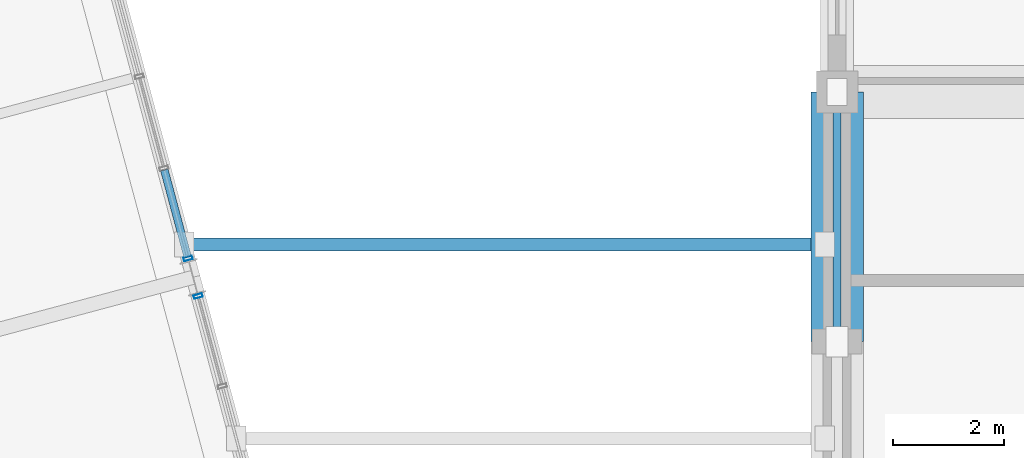
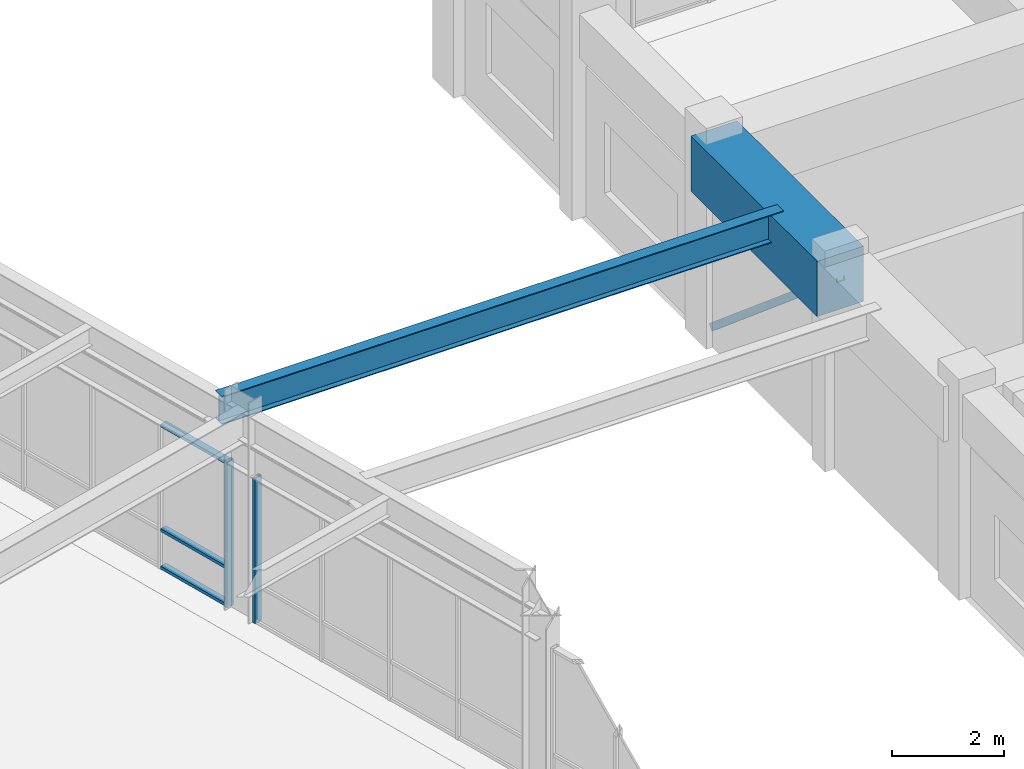
# One storey, part 52 of 104: 6 members, 2 beams, 2 elements without a shape of their own.
"""IFC4 building model written with IfcOpenShell, lengths in metres."""

from ifc_helpers import new_model, si_unit, direction, frame, origin, origin_2d, place, context, subcontext, project, spatial, rectangle, hollow_rectangle, i_section, extrude, material, layer, layer_set, material_profile, profile_set, type_object, element, aggregate, save


model = new_model("IFC4")

# Units and contexts
model_context = context("Model", 3, precision=1e-05, world=origin(), true_north=direction((0.0, 1.0)))
body_context = subcontext(model_context, "Body", "Model", "MODEL_VIEW")
ifc_project = project(units=[si_unit("LENGTHUNIT", "METRE"), si_unit("AREAUNIT", "SQUARE_METRE"), si_unit("VOLUMEUNIT", "CUBIC_METRE"), si_unit("PLANEANGLEUNIT", "RADIAN"), si_unit("MASSUNIT", "GRAM", prefix="KILO")], contexts=[model_context])

# Site, building, storey
site_placement = place(None, origin())
site = spatial("IfcSite", under=ifc_project, at=site_placement, CompositionType="ELEMENT")
building_placement = place(site_placement, origin())
building = spatial("IfcBuilding", under=site, at=building_placement, Name="Ventoquebrada Cableway Terminal", CompositionType="ELEMENT")
storey_placement = place(building_placement, frame((0.0, 0.0, 4.800048828125)))
storey = spatial("IfcBuildingStorey", under=building, at=storey_placement, Name="L01", CompositionType="ELEMENT", Elevation=4.800048828125)

# Beams
ifc_material_1 = material(Name="Concrete C40/50", Category="concrete")
ifc_material_profile_1 = material_profile(ifc_material_1, rectangle(XDim=0.949951171875, YDim=1.199951171875, at=origin_2d()), Name="RC-BM-950X1200")
ifc_profile_set_1 = profile_set([ifc_material_profile_1], Name="Concrete C40/50")
beam_type_1 = type_object("IfcBeamType", Name="BM-RC06", PredefinedType="BEAM", material=ifc_profile_set_1)
beam_1_placement = place(storey_placement, frame((95.0, 90.5, 3.849853515625), z_axis=(0.0, 1.0, 0.0), x_axis=(-1.0, 0.0, 0.0)))
element("IfcBeam", 1, at=beam_1_placement, inside=storey, type_object=beam_type_1, Name="Perimeter spandrel beam FBM-0646", PredefinedType="BEAM", context=body_context, shape_type="SweptSolid", body=[
    extrude(rectangle(XDim=0.949951171875, YDim=1.199951171875, at=origin_2d()), origin(), (0.0, 0.0, 1.0), 4.5),
])
ifc_material_2 = material(Name="Steel ASTM A992 Grade 50", Category="steel")
ifc_material_profile_2 = material_profile(ifc_material_2, i_section(OverallWidth=0.22900390625, OverallDepth=0.612060546875, WebThickness=0.011962890625, FlangeThickness=0.01953125, at=origin_2d()), Name="W24X84")
ifc_profile_set_2 = profile_set([ifc_material_profile_2], Name="Steel ASTM A992 Grade 50")
beam_type_2 = type_object("IfcBeamType", Name="BM-ST02", PredefinedType="BEAM", material=ifc_profile_set_2)
beam_2_placement = place(storey_placement, frame((83.22900390625, 92.25, 4.1689453125), z_axis=(1.0, 0.0, 0.0), x_axis=(0.0, 1.0, 0.0)))
element("IfcBeam", 2, at=beam_2_placement, inside=storey, type_object=beam_type_2, Name="Link bridge girder LP-3 FBM-1119", PredefinedType="BEAM", context=body_context, shape_type="SweptSolid", body=[
    extrude(i_section(OverallWidth=0.22900390625, OverallDepth=0.612060546875, WebThickness=0.011962890625, FlangeThickness=0.01953125, at=origin_2d()), origin(), (0.0, 0.0, 1.0), 11.5458984375),
])

# Member
ifc_material_3 = material(Name="Steel ASTM A500 Grade C", Category="steel")
ifc_material_profile_3 = material_profile(ifc_material_3, hollow_rectangle(XDim=0.14990234375, YDim=0.14990234375, WallThickness=0.008056640625, at=origin_2d()), Name="HSS150X150X8")
ifc_profile_set_3 = profile_set([ifc_material_profile_3], Name="Steel ASTM A500 Grade C")
member_type_1 = type_object("IfcMemberType", Name="BRC-FR02", PredefinedType="BRACE", material=ifc_profile_set_3)
member_1_placement = place(storey_placement, frame((95.0, 95.0, 0.14990234375), z_axis=(0.0, -0.764025829276, 0.645185657155), x_axis=(1.0, 0.0, 0.0)))
element("IfcMember", 3, at=member_1_placement, inside=storey, type_object=member_type_1, Name="Concentric lateral chevron brace BR-0538", PredefinedType="BRACE", context=body_context, shape_type="SweptSolid", body=[
    extrude(hollow_rectangle(XDim=0.14990234375, YDim=0.14990234375, WallThickness=0.008056640625, at=origin_2d()), origin(), (0.0, 0.0, 1.0), 5.889892578125),
])

# Curtain wall, member
ifc_material_4 = material(Name="Anodized thermally-broken aluminium", Category="aluminium")
ifc_layer = layer(ifc_material_4, 0.159912109375)
ifc_layer_set = layer_set([ifc_layer], Name="Anodized thermally-broken aluminium")
curtain_wall_type = type_object("IfcCurtainWallType", Name="CW-T39", PredefinedType="USERDEFINED", material=ifc_layer_set)
curtain_wall_1_placement = place(storey_placement, origin())
curtain_wall_1 = element("IfcCurtainWall", 4, at=curtain_wall_1_placement, inside=storey, type_object=curtain_wall_type, Name="Unitised glazed curtain wall CW-098", ObjectType="UNITISED CURTAIN WALL", PredefinedType="USERDEFINED")
ifc_material_profile_4 = material_profile(ifc_material_4, hollow_rectangle(XDim=0.06494140625, YDim=0.159912109375, WallThickness=0.00390625, at=origin_2d()), Name="CW-MUL-65X160")
ifc_profile_set_4 = profile_set([ifc_material_profile_4], Name="Anodized thermally-broken aluminium")
member_type_2 = type_object("IfcMemberType", Name="CWM-01", PredefinedType="MULLION", material=ifc_profile_set_4)
member_2_placement = place(storey_placement, frame((83.47802734375, 91.320068359375, -0.008056640625), z_axis=(0.0, 0.0, 1.0), x_axis=(-0.258701033069, 0.965957439792, 0.0)))
member_2 = element("IfcMember", 5, at=member_2_placement, type_object=member_type_2, Name="Curtain wall mullion FML-0480", PredefinedType="MULLION", context=body_context, shape_type="SweptSolid", body=[
    extrude(hollow_rectangle(XDim=0.06494140625, YDim=0.159912109375, WallThickness=0.00390625, at=origin_2d()), origin(), (0.0, 0.0, 1.0), 3.173095703125),
])
aggregate(curtain_wall_1, [member_2])

# Curtain wall, members
curtain_wall_2_placement = place(storey_placement, origin())
curtain_wall_2 = element("IfcCurtainWall", 6, at=curtain_wall_2_placement, inside=storey, type_object=curtain_wall_type, Name="Unitised glazed curtain wall CW-099", ObjectType="UNITISED CURTAIN WALL", PredefinedType="USERDEFINED")
member_3_placement = place(storey_placement, frame((83.2958984375, 91.998046875, -0.008056640625), z_axis=(0.0, 0.0, 1.0), x_axis=(-0.258734751187, 0.965948408834, 0.0)))
member_3 = element("IfcMember", 7, at=member_3_placement, type_object=member_type_2, Name="Curtain wall mullion FML-0481", PredefinedType="MULLION", context=body_context, shape_type="SweptSolid", body=[
    extrude(hollow_rectangle(XDim=0.06494140625, YDim=0.159912109375, WallThickness=0.00390625, at=origin_2d()), origin(), (0.0, 0.0, 1.0), 3.173095703125),
])
ifc_material_profile_5 = material_profile(ifc_material_4, hollow_rectangle(XDim=0.06494140625, YDim=0.139892578125, WallThickness=0.00390625, at=origin_2d()), Name="CW-TRN-65X140")
ifc_profile_set_5 = profile_set([ifc_material_profile_5], Name="Anodized thermally-broken aluminium")
member_type_3 = type_object("IfcMemberType", Name="CWT-01", PredefinedType="USERDEFINED", material=ifc_profile_set_5)
member_4_placement = place(storey_placement, frame((83.2890625, 92.02392578125, 0.034912109375), z_axis=(-0.258773577288, 0.965938008206, 0.0), x_axis=(0.0, 0.0, 1.0)))
member_4 = element("IfcMember", 8, at=member_4_placement, type_object=member_type_3, Name="Curtain wall transom FTR-1415", ObjectType="TRANSOM", PredefinedType="USERDEFINED", context=body_context, shape_type="SweptSolid", body=[
    extrude(hollow_rectangle(XDim=0.06494140625, YDim=0.139892578125, WallThickness=0.00390625, at=origin_2d()), origin(), (0.0, 0.0, 1.0), 1.62744140625),
])
member_5_placement = place(storey_placement, frame((83.2890625, 92.02392578125, 0.849853515625), z_axis=(-0.258773577288, 0.965938008206, 0.0), x_axis=(0.0, 0.0, 1.0)))
member_5 = element("IfcMember", 9, at=member_5_placement, type_object=member_type_3, Name="Curtain wall transom FTR-1416", ObjectType="TRANSOM", PredefinedType="USERDEFINED", context=body_context, shape_type="SweptSolid", body=[
    extrude(hollow_rectangle(XDim=0.06494140625, YDim=0.139892578125, WallThickness=0.00390625, at=origin_2d()), origin(), (0.0, 0.0, 1.0), 1.62744140625),
])
member_6_placement = place(storey_placement, frame((83.2890625, 92.02392578125, 3.125), z_axis=(-0.258773577288, 0.965938008206, 0.0), x_axis=(0.0, 0.0, 1.0)))
member_6 = element("IfcMember", 10, at=member_6_placement, type_object=member_type_3, Name="Curtain wall transom FTR-1417", ObjectType="TRANSOM", PredefinedType="USERDEFINED", context=body_context, shape_type="SweptSolid", body=[
    extrude(hollow_rectangle(XDim=0.06494140625, YDim=0.139892578125, WallThickness=0.00390625, at=origin_2d()), origin(), (0.0, 0.0, 1.0), 1.62744140625),
])
aggregate(curtain_wall_2, [member_3, member_4, member_5, member_6])

save(model, "model.ifc")
